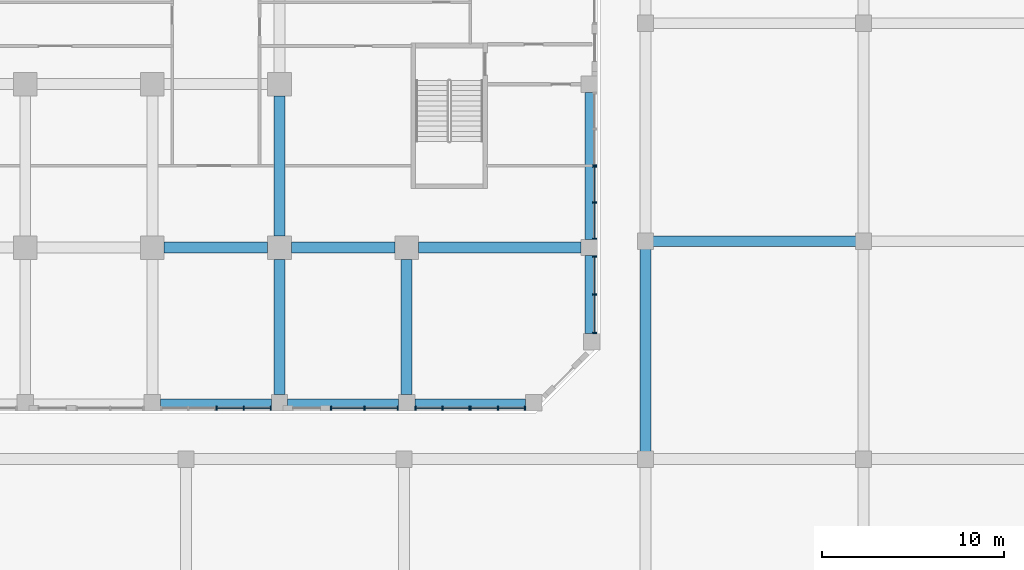
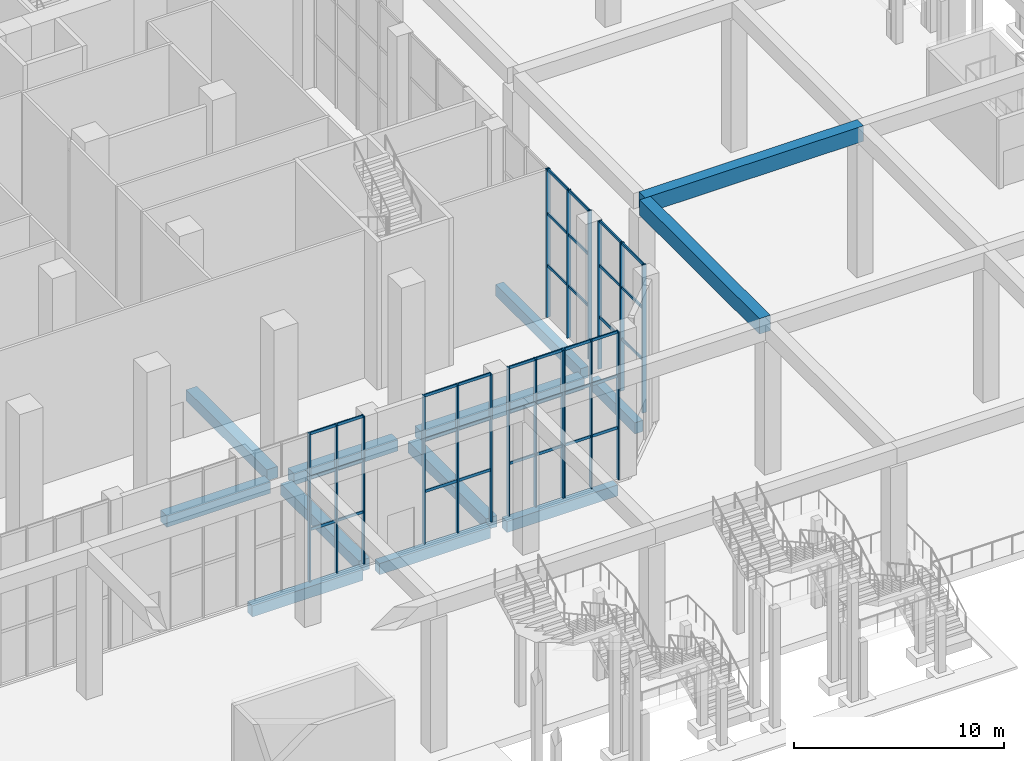
# One storey, part 7 of 43: 55 members, 13 beams, 7 elements without a shape of their own.
"""IFC4 building model written with IfcOpenShell, lengths in metres."""

from ifc_helpers import new_model, si_unit, direction, frame, origin, origin_2d, place, context, subcontext, project, spatial, rectangle, extrude, source, transform, mapped, material, material_profile, profile_set, type_object, element, aggregate, save


model = new_model("IFC4")

# Units and contexts
model_context = context("Model", 3, precision=1e-05, world=origin(), true_north=direction((0.0, 1.0)))
body_context = subcontext(model_context, "Body", "Model", "MODEL_VIEW")
ifc_project = project(units=[si_unit("LENGTHUNIT", "METRE"), si_unit("AREAUNIT", "SQUARE_METRE"), si_unit("VOLUMEUNIT", "CUBIC_METRE"), si_unit("PLANEANGLEUNIT", "RADIAN"), si_unit("MASSUNIT", "GRAM", prefix="KILO")], contexts=[model_context])

# Site, building, storey
site_placement = place(None, origin())
site = spatial("IfcSite", under=ifc_project, at=site_placement, CompositionType="ELEMENT")
building_placement = place(site_placement, origin())
building = spatial("IfcBuilding", under=site, at=building_placement, Name="Kilnfold Tower and Market Hall", CompositionType="ELEMENT")
storey_placement = place(building_placement, origin())
storey = spatial("IfcBuildingStorey", under=building, at=storey_placement, Name="L00", CompositionType="ELEMENT", Elevation=0.0)

# Beams
ifc_material_1 = material(Name="Concrete C45", Category="concrete")
ifc_material_profile_1 = material_profile(ifc_material_1, rectangle(XDim=0.449951171875, YDim=0.64990234375, at=origin_2d()), Name="RC 450x650")
ifc_profile_set_1 = profile_set([ifc_material_profile_1], Name="Concrete C45")
beam_type_1 = type_object("IfcBeamType", Name="EDGE BEAM 450X650 C45", PredefinedType="BEAM", material=ifc_profile_set_1)
shared_shape_1 = source(origin(), body_context, "Body", "SweptSolid", [
    extrude(rectangle(XDim=0.449951171875, YDim=0.64990234375, at=origin_2d()), origin(), (0.0, 0.0, 1.0), 6.10009765625),
])
for number, where, z_axis, x_axis, name in (
    (1, (3.949951171875, -27.550048828125, -0.735107421875), (1.0, 0.0, 0.0), (0.0, 1.0, 0.0), "Beam EB650-B1.4"),
    (2, (10.949951171875, -27.550048828125, -0.735107421875), (1.0, 0.0, 0.0), (0.0, 1.0, 0.0), "Beam EB650-B1.5"),
    (3, (17.949951171875, -27.550048828125, -0.735107421875), (1.0, 0.0, 0.0), (0.0, 1.0, 0.0), "Beam EB650-B1.6"),
):
    element("IfcBeam", number, at=place(storey_placement, frame(where, z_axis=z_axis, x_axis=x_axis)), inside=storey, type_object=beam_type_1, Name=name, PredefinedType="BEAM", context=body_context, shape_type="MappedRepresentation", body=[
        mapped(shared_shape_1, transform((0.0, 0.0, 0.0))),
    ])
ifc_material_2 = material(Name="Concrete C45", Category="concrete")
ifc_material_profile_2 = material_profile(ifc_material_2, rectangle(XDim=0.60009765625, YDim=0.64990234375, at=origin_2d()), Name="RC 600x650")
ifc_profile_set_2 = profile_set([ifc_material_profile_2], Name="Concrete C45")
beam_type_2 = type_object("IfcBeamType", Name="BEAM 600X650 C45", PredefinedType="BEAM", material=ifc_profile_set_2)
shared_shape_2 = source(origin(), body_context, "Body", "SweptSolid", [
    extrude(rectangle(XDim=0.60009765625, YDim=0.64990234375, at=origin_2d()), origin(), (0.0, 0.0, 1.0), 8.9501953125),
])
beam_1_placement = place(storey_placement, frame((18.14990234375, -19.0, -0.735107421875), z_axis=(1.0, 0.0, 0.0), x_axis=(0.0, 1.0, 0.0)))
element("IfcBeam", 4, at=beam_1_placement, inside=storey, type_object=beam_type_2, Name="Beam BB650-B1.12", PredefinedType="BEAM", context=body_context, shape_type="MappedRepresentation", body=[
    mapped(shared_shape_2, transform((0.0, 0.0, 0.0))),
])
shared_shape_3 = source(origin(), body_context, "Body", "SweptSolid", [
    extrude(rectangle(XDim=0.60009765625, YDim=0.64990234375, at=origin_2d()), origin(), (0.0, 0.0, 1.0), 5.7001953125),
])
for number, where, z_axis, x_axis, name in (
    (5, (4.14990234375, -19.0, -0.735107421875), (1.0, 0.0, 0.0), (0.0, 1.0, 0.0), "Beam BB650-B1.10"),
    (6, (11.14990234375, -19.0, -0.735107421875), (1.0, 0.0, 0.0), (0.0, 1.0, 0.0), "Beam BB650-B1.11"),
):
    element("IfcBeam", number, at=place(storey_placement, frame(where, z_axis=z_axis, x_axis=x_axis)), inside=storey, type_object=beam_type_2, Name=name, PredefinedType="BEAM", context=body_context, shape_type="MappedRepresentation", body=[
        mapped(shared_shape_3, transform((0.0, 0.0, 0.0))),
    ])
shared_shape_4 = source(origin(), body_context, "Body", "SweptSolid", [
    extrude(rectangle(XDim=0.449951171875, YDim=0.64990234375, at=origin_2d()), origin(), (0.0, 0.0, 1.0), 8.10009765625),
])
beam_2_placement = place(storey_placement, frame((27.550048828125, -18.550048828125, -0.735107421875), z_axis=(0.0, 1.0, 0.0), x_axis=(-1.0, 0.0, 0.0)))
element("IfcBeam", 7, at=beam_2_placement, inside=storey, type_object=beam_type_1, Name="Beam EB650-B1.52", PredefinedType="BEAM", context=body_context, shape_type="MappedRepresentation", body=[
    mapped(shared_shape_4, transform((0.0, 0.0, 0.0))),
])
shared_shape_5 = source(origin(), body_context, "Body", "SweptSolid", [
    extrude(rectangle(XDim=0.60009765625, YDim=0.64990234375, at=origin_2d()), origin(), (0.0, 0.0, 1.0), 7.4501953125),
])
for number, where, z_axis, x_axis, name in (
    (8, (10.5, -27.10009765625, -0.735107421875), (0.0, 1.0, 0.0), (-1.0, 0.0, 0.0), "Beam BB650-B1.47"),
    (9, (17.5, -27.10009765625, -0.735107421875), (0.0, 1.0, 0.0), (-1.0, 0.0, 0.0), "Beam BB650-B1.50"),
):
    element("IfcBeam", number, at=place(storey_placement, frame(where, z_axis=z_axis, x_axis=x_axis)), inside=storey, type_object=beam_type_2, Name=name, PredefinedType="BEAM", context=body_context, shape_type="MappedRepresentation", body=[
        mapped(shared_shape_5, transform((0.0, 0.0, 0.0))),
    ])
shared_shape_6 = source(origin(), body_context, "Body", "SweptSolid", [
    extrude(rectangle(XDim=0.60009765625, YDim=0.64990234375, at=origin_2d()), origin(), (0.0, 0.0, 1.0), 7.7001953125),
])
beam_3_placement = place(storey_placement, frame((10.5, -18.35009765625, -0.735107421875), z_axis=(0.0, 1.0, 0.0), x_axis=(-1.0, 0.0, 0.0)))
element("IfcBeam", 10, at=beam_3_placement, inside=storey, type_object=beam_type_2, Name="Beam BB650-B1.48", PredefinedType="BEAM", context=body_context, shape_type="MappedRepresentation", body=[
    mapped(shared_shape_6, transform((0.0, 0.0, 0.0))),
])
shared_shape_7 = source(origin(), body_context, "Body", "SweptSolid", [
    extrude(rectangle(XDim=0.449951171875, YDim=0.64990234375, at=origin_2d()), origin(), (0.0, 0.0, 1.0), 4.28173828125),
])
beam_4_placement = place(storey_placement, frame((27.550048828125, -23.731689453125, -0.735107421875), z_axis=(0.0, 1.0, 0.0), x_axis=(-1.0, 0.0, 0.0)))
element("IfcBeam", 11, at=beam_4_placement, inside=storey, type_object=beam_type_1, Name="Beam EB650-B1.51", PredefinedType="BEAM", context=body_context, shape_type="MappedRepresentation", body=[
    mapped(shared_shape_7, transform((0.0, 0.0, 0.0))),
])
ifc_material_3 = material(Name="Concrete C40/50", Category="concrete")
ifc_material_profile_3 = material_profile(ifc_material_3, rectangle(XDim=0.60009765625, YDim=0.89990234375, at=origin_2d()), Name="RC 600x900")
ifc_profile_set_3 = profile_set([ifc_material_profile_3], Name="Concrete C40/50")
beam_type_3 = type_object("IfcBeamType", Name="DECK GIRDER 600X900", PredefinedType="BEAM", material=ifc_profile_set_3)
shared_shape_8 = source(origin(), body_context, "Body", "SweptSolid", [
    extrude(rectangle(XDim=0.60009765625, YDim=0.89990234375, at=origin_2d()), origin(), (0.0, 0.0, 1.0), 12.0),
])
beam_5_placement = place(storey_placement, frame((30.64990234375, -18.64990234375, 8.14990234375), z_axis=(1.0, 0.0, 0.0), x_axis=(0.0, 1.0, 0.0)))
element("IfcBeam", 12, at=beam_5_placement, inside=storey, type_object=beam_type_3, Name="Deck girder DG1-13", PredefinedType="BEAM", context=body_context, shape_type="MappedRepresentation", body=[
    mapped(shared_shape_8, transform((0.0, 0.0, 0.0))),
])
shared_shape_9 = source(origin(), body_context, "Body", "SweptSolid", [
    extrude(rectangle(XDim=0.60009765625, YDim=0.89990234375, at=origin_2d()), origin(), (0.0, 0.0, 1.0), 11.400146484375),
])
beam_6_placement = place(storey_placement, frame((30.64990234375, -30.35009765625, 8.14990234375), z_axis=(0.0, 1.0, 0.0), x_axis=(-1.0, 0.0, 0.0)))
element("IfcBeam", 13, at=beam_6_placement, inside=storey, type_object=beam_type_3, Name="Deck girder DG1-26", PredefinedType="BEAM", context=body_context, shape_type="MappedRepresentation", body=[
    mapped(shared_shape_9, transform((0.0, 0.0, 0.0))),
])

# Curtain wall, members
ifc_material_4 = material(Name="Aluminium and double glazing", Category="aluminium")
curtain_wall_type = type_object("IfcCurtainWallType", Name="CW BASE PODIUM GLAZING", PredefinedType="NOTDEFINED", material=ifc_material_4)
curtain_wall_1_placement = place(storey_placement, origin())
curtain_wall_1 = element("IfcCurtainWall", 14, at=curtain_wall_1_placement, inside=storey, type_object=curtain_wall_type, Name="Curtain wall CW4 L00 S", PredefinedType="NOTDEFINED")
ifc_material_5 = material(Name="Aluminium", Category="aluminium")
ifc_material_profile_4 = material_profile(ifc_material_5, rectangle(XDim=0.070068359375, YDim=0.219970703125, at=origin_2d()), Name="MULLION 70x220")
ifc_profile_set_4 = profile_set([ifc_material_profile_4], Name="Aluminium")
member_type_1 = type_object("IfcMemberType", Name="MULLION 70X220", PredefinedType="MULLION", material=ifc_profile_set_4)
shared_shape_10 = source(origin(), body_context, "Body", "SweptSolid", [
    extrude(rectangle(XDim=0.070068359375, YDim=0.219970703125, at=origin_2d()), origin(), (0.0, 0.0, 1.0), 8.60009765625),
])
member_1_placement = place(storey_placement, frame((7.034912109375, -27.85009765625, 0.0), z_axis=(0.0, 0.0, 1.0), x_axis=(1.0, 0.0, 0.0)))
member_1 = element("IfcMember", 15, at=member_1_placement, type_object=member_type_1, Name="CW4 mullion 1", PredefinedType="MULLION", context=body_context, shape_type="MappedRepresentation", body=[
    mapped(shared_shape_10, transform((0.0, 0.0, 0.0))),
])
member_2_placement = place(storey_placement, frame((8.52490234375, -27.85009765625, 0.0), z_axis=(0.0, 0.0, 1.0), x_axis=(1.0, 0.0, 0.0)))
member_2 = element("IfcMember", 16, at=member_2_placement, type_object=member_type_1, Name="CW4 mullion 2", PredefinedType="MULLION", context=body_context, shape_type="MappedRepresentation", body=[
    mapped(shared_shape_10, transform((0.0, 0.0, 0.0))),
])
member_3_placement = place(storey_placement, frame((10.014892578125, -27.85009765625, 0.0), z_axis=(0.0, 0.0, 1.0), x_axis=(1.0, 0.0, 0.0)))
member_3 = element("IfcMember", 17, at=member_3_placement, type_object=member_type_1, Name="CW4 mullion 3", PredefinedType="MULLION", context=body_context, shape_type="MappedRepresentation", body=[
    mapped(shared_shape_10, transform((0.0, 0.0, 0.0))),
])

curtain_wall_2_placement = place(storey_placement, origin())
curtain_wall_2 = element("IfcCurtainWall", 18, at=curtain_wall_2_placement, inside=storey, type_object=curtain_wall_type, Name="Curtain wall CW4 L00 S", PredefinedType="NOTDEFINED")
member_4_placement = place(storey_placement, frame((13.3349609375, -27.85009765625, 0.0), z_axis=(0.0, 0.0, 1.0), x_axis=(1.0, 0.0, 0.0)))
member_4 = element("IfcMember", 19, at=member_4_placement, type_object=member_type_1, Name="CW4 mullion 1", PredefinedType="MULLION", context=body_context, shape_type="MappedRepresentation", body=[
    mapped(shared_shape_10, transform((0.0, 0.0, 0.0))),
])
member_5_placement = place(storey_placement, frame((15.175048828125, -27.85009765625, 0.0), z_axis=(0.0, 0.0, 1.0), x_axis=(1.0, 0.0, 0.0)))
member_5 = element("IfcMember", 20, at=member_5_placement, type_object=member_type_1, Name="CW4 mullion 2", PredefinedType="MULLION", context=body_context, shape_type="MappedRepresentation", body=[
    mapped(shared_shape_10, transform((0.0, 0.0, 0.0))),
])
member_6_placement = place(storey_placement, frame((17.014892578125, -27.85009765625, 0.0), z_axis=(0.0, 0.0, 1.0), x_axis=(1.0, 0.0, 0.0)))
member_6 = element("IfcMember", 21, at=member_6_placement, type_object=member_type_1, Name="CW4 mullion 3", PredefinedType="MULLION", context=body_context, shape_type="MappedRepresentation", body=[
    mapped(shared_shape_10, transform((0.0, 0.0, 0.0))),
])

curtain_wall_3_placement = place(storey_placement, origin())
curtain_wall_3 = element("IfcCurtainWall", 22, at=curtain_wall_3_placement, inside=storey, type_object=curtain_wall_type, Name="Curtain wall CW4 L00 S", PredefinedType="NOTDEFINED")
member_7_placement = place(storey_placement, frame((17.985107421875, -27.85009765625, 0.0), z_axis=(0.0, 0.0, 1.0), x_axis=(1.0, 0.0, 0.0)))
member_7 = element("IfcMember", 23, at=member_7_placement, type_object=member_type_1, Name="CW4 mullion 1", PredefinedType="MULLION", context=body_context, shape_type="MappedRepresentation", body=[
    mapped(shared_shape_10, transform((0.0, 0.0, 0.0))),
])
member_8_placement = place(storey_placement, frame((19.47509765625, -27.85009765625, 0.0), z_axis=(0.0, 0.0, 1.0), x_axis=(1.0, 0.0, 0.0)))
member_8 = element("IfcMember", 24, at=member_8_placement, type_object=member_type_1, Name="CW4 mullion 2", PredefinedType="MULLION", context=body_context, shape_type="MappedRepresentation", body=[
    mapped(shared_shape_10, transform((0.0, 0.0, 0.0))),
])
member_9_placement = place(storey_placement, frame((20.965087890625, -27.85009765625, 0.0), z_axis=(0.0, 0.0, 1.0), x_axis=(1.0, 0.0, 0.0)))
member_9 = element("IfcMember", 25, at=member_9_placement, type_object=member_type_1, Name="CW4 mullion 3", PredefinedType="MULLION", context=body_context, shape_type="MappedRepresentation", body=[
    mapped(shared_shape_10, transform((0.0, 0.0, 0.0))),
])

curtain_wall_4_placement = place(storey_placement, origin())
curtain_wall_4 = element("IfcCurtainWall", 26, at=curtain_wall_4_placement, inside=storey, type_object=curtain_wall_type, Name="Curtain wall CW4 L00 S", PredefinedType="NOTDEFINED")
member_10_placement = place(storey_placement, frame((21.034912109375, -27.85009765625, 0.0), z_axis=(0.0, 0.0, 1.0), x_axis=(1.0, 0.0, 0.0)))
member_10 = element("IfcMember", 27, at=member_10_placement, type_object=member_type_1, Name="CW4 mullion 1", PredefinedType="MULLION", context=body_context, shape_type="MappedRepresentation", body=[
    mapped(shared_shape_10, transform((0.0, 0.0, 0.0))),
])
member_11_placement = place(storey_placement, frame((22.52490234375, -27.85009765625, 0.0), z_axis=(0.0, 0.0, 1.0), x_axis=(1.0, 0.0, 0.0)))
member_11 = element("IfcMember", 28, at=member_11_placement, type_object=member_type_1, Name="CW4 mullion 2", PredefinedType="MULLION", context=body_context, shape_type="MappedRepresentation", body=[
    mapped(shared_shape_10, transform((0.0, 0.0, 0.0))),
])
member_12_placement = place(storey_placement, frame((24.014892578125, -27.85009765625, 0.0), z_axis=(0.0, 0.0, 1.0), x_axis=(1.0, 0.0, 0.0)))
member_12 = element("IfcMember", 29, at=member_12_placement, type_object=member_type_1, Name="CW4 mullion 3", PredefinedType="MULLION", context=body_context, shape_type="MappedRepresentation", body=[
    mapped(shared_shape_10, transform((0.0, 0.0, 0.0))),
])

curtain_wall_5_placement = place(storey_placement, origin())
curtain_wall_5 = element("IfcCurtainWall", 30, at=curtain_wall_5_placement, inside=storey, type_object=curtain_wall_type, Name="Curtain wall CW4 L00 E", PredefinedType="NOTDEFINED")
member_13_placement = place(storey_placement, frame((27.85009765625, -23.69677734375, 0.0), z_axis=(0.0, 0.0, 1.0), x_axis=(0.0, 1.0, 0.0)))
member_13 = element("IfcMember", 31, at=member_13_placement, type_object=member_type_1, Name="CW4 mullion 1", PredefinedType="MULLION", context=body_context, shape_type="MappedRepresentation", body=[
    mapped(shared_shape_10, transform((0.0, 0.0, 0.0))),
])
member_14_placement = place(storey_placement, frame((27.85009765625, -21.5908203125, 0.0), z_axis=(0.0, 0.0, 1.0), x_axis=(0.0, 1.0, 0.0)))
member_14 = element("IfcMember", 32, at=member_14_placement, type_object=member_type_1, Name="CW4 mullion 2", PredefinedType="MULLION", context=body_context, shape_type="MappedRepresentation", body=[
    mapped(shared_shape_10, transform((0.0, 0.0, 0.0))),
])
member_15_placement = place(storey_placement, frame((27.85009765625, -19.485107421875, 0.0), z_axis=(0.0, 0.0, 1.0), x_axis=(0.0, 1.0, 0.0)))
member_15 = element("IfcMember", 33, at=member_15_placement, type_object=member_type_1, Name="CW4 mullion 3", PredefinedType="MULLION", context=body_context, shape_type="MappedRepresentation", body=[
    mapped(shared_shape_10, transform((0.0, 0.0, 0.0))),
])

curtain_wall_6_placement = place(storey_placement, origin())
curtain_wall_6 = element("IfcCurtainWall", 34, at=curtain_wall_6_placement, inside=storey, type_object=curtain_wall_type, Name="Curtain wall CW4 L00 E", PredefinedType="NOTDEFINED")
member_16_placement = place(storey_placement, frame((27.85009765625, -18.514892578125, 0.0), z_axis=(0.0, 0.0, 1.0), x_axis=(0.0, 1.0, 0.0)))
member_16 = element("IfcMember", 35, at=member_16_placement, type_object=member_type_1, Name="CW4 mullion 1", PredefinedType="MULLION", context=body_context, shape_type="MappedRepresentation", body=[
    mapped(shared_shape_10, transform((0.0, 0.0, 0.0))),
])
member_17_placement = place(storey_placement, frame((27.85009765625, -16.52490234375, 0.0), z_axis=(0.0, 0.0, 1.0), x_axis=(0.0, 1.0, 0.0)))
member_17 = element("IfcMember", 36, at=member_17_placement, type_object=member_type_1, Name="CW4 mullion 2", PredefinedType="MULLION", context=body_context, shape_type="MappedRepresentation", body=[
    mapped(shared_shape_10, transform((0.0, 0.0, 0.0))),
])
member_18_placement = place(storey_placement, frame((27.85009765625, -14.534912109375, 0.0), z_axis=(0.0, 0.0, 1.0), x_axis=(0.0, 1.0, 0.0)))
member_18 = element("IfcMember", 37, at=member_18_placement, type_object=member_type_1, Name="CW4 mullion 3", PredefinedType="MULLION", context=body_context, shape_type="MappedRepresentation", body=[
    mapped(shared_shape_10, transform((0.0, 0.0, 0.0))),
])

# Curtain wall, member
curtain_wall_7_placement = place(storey_placement, origin())
curtain_wall_7 = element("IfcCurtainWall", 38, at=curtain_wall_7_placement, inside=storey, type_object=curtain_wall_type, Name="Curtain wall CW4 L00 E", PredefinedType="NOTDEFINED")
member_19_placement = place(storey_placement, frame((27.85009765625, -14.465087890625, 0.0), z_axis=(0.0, 0.0, 1.0), x_axis=(0.0, 1.0, 0.0)))
member_19 = element("IfcMember", 39, at=member_19_placement, type_object=member_type_1, Name="CW4 mullion 1", PredefinedType="MULLION", context=body_context, shape_type="MappedRepresentation", body=[
    mapped(shared_shape_10, transform((0.0, 0.0, 0.0))),
])
aggregate(curtain_wall_7, [member_19])

# Member
ifc_material_6 = material(Name="Aluminium", Category="aluminium")
ifc_material_profile_5 = material_profile(ifc_material_6, rectangle(XDim=0.070068359375, YDim=0.159912109375, at=origin_2d()), Name="TRANSOM 70x160")
ifc_profile_set_5 = profile_set([ifc_material_profile_5], Name="Aluminium")
member_type_2 = type_object("IfcMemberType", Name="TRANSOM 70X160", PredefinedType="USERDEFINED", material=ifc_profile_set_5)
shared_shape_11 = source(origin(), body_context, "Body", "SweptSolid", [
    extrude(rectangle(XDim=0.070068359375, YDim=0.159912109375, at=origin_2d()), origin(), (0.0, 0.0, 1.0), 1.419921875),
])
member_20_placement = place(storey_placement, frame((7.070068359375, -27.85009765625, 3.0), z_axis=(1.0, 0.0, 0.0), x_axis=(0.0, 1.0, 0.0)))
member_20 = element("IfcMember", 40, at=member_20_placement, type_object=member_type_2, Name="CW4 transom 1.2", ObjectType="TRANSOM", PredefinedType="USERDEFINED", context=body_context, shape_type="MappedRepresentation", body=[
    mapped(shared_shape_11, transform((0.0, 0.0, 0.0))),
])

member_21_placement = place(storey_placement, frame((7.070068359375, -27.85009765625, 6.0), z_axis=(1.0, 0.0, 0.0), x_axis=(0.0, 1.0, 0.0)))
member_21 = element("IfcMember", 41, at=member_21_placement, type_object=member_type_2, Name="CW4 transom 1.3", ObjectType="TRANSOM", PredefinedType="USERDEFINED", context=body_context, shape_type="MappedRepresentation", body=[
    mapped(shared_shape_11, transform((0.0, 0.0, 0.0))),
])

member_22_placement = place(storey_placement, frame((7.070068359375, -27.85009765625, 8.56494140625), z_axis=(1.0, 0.0, 0.0), x_axis=(0.0, 1.0, 0.0)))
member_22 = element("IfcMember", 42, at=member_22_placement, type_object=member_type_2, Name="CW4 transom 1.4", ObjectType="TRANSOM", PredefinedType="USERDEFINED", context=body_context, shape_type="MappedRepresentation", body=[
    mapped(shared_shape_11, transform((0.0, 0.0, 0.0))),
])

member_23_placement = place(storey_placement, frame((8.56005859375, -27.85009765625, 3.0), z_axis=(1.0, 0.0, 0.0), x_axis=(0.0, 1.0, 0.0)))
member_23 = element("IfcMember", 43, at=member_23_placement, type_object=member_type_2, Name="CW4 transom 2.2", ObjectType="TRANSOM", PredefinedType="USERDEFINED", context=body_context, shape_type="MappedRepresentation", body=[
    mapped(shared_shape_11, transform((0.0, 0.0, 0.0))),
])

member_24_placement = place(storey_placement, frame((8.56005859375, -27.85009765625, 6.0), z_axis=(1.0, 0.0, 0.0), x_axis=(0.0, 1.0, 0.0)))
member_24 = element("IfcMember", 44, at=member_24_placement, type_object=member_type_2, Name="CW4 transom 2.3", ObjectType="TRANSOM", PredefinedType="USERDEFINED", context=body_context, shape_type="MappedRepresentation", body=[
    mapped(shared_shape_11, transform((0.0, 0.0, 0.0))),
])

member_25_placement = place(storey_placement, frame((8.56005859375, -27.85009765625, 8.56494140625), z_axis=(1.0, 0.0, 0.0), x_axis=(0.0, 1.0, 0.0)))
member_25 = element("IfcMember", 45, at=member_25_placement, type_object=member_type_2, Name="CW4 transom 2.4", ObjectType="TRANSOM", PredefinedType="USERDEFINED", context=body_context, shape_type="MappedRepresentation", body=[
    mapped(shared_shape_11, transform((0.0, 0.0, 0.0))),
])

aggregate(curtain_wall_1, [member_1, member_2, member_3, member_20, member_21, member_22, member_23, member_24, member_25])

member_26_placement = place(storey_placement, frame((18.02001953125, -27.85009765625, 3.0), z_axis=(1.0, 0.0, 0.0), x_axis=(0.0, 1.0, 0.0)))
member_26 = element("IfcMember", 46, at=member_26_placement, type_object=member_type_2, Name="CW4 transom 1.2", ObjectType="TRANSOM", PredefinedType="USERDEFINED", context=body_context, shape_type="MappedRepresentation", body=[
    mapped(shared_shape_11, transform((0.0, 0.0, 0.0))),
])

member_27_placement = place(storey_placement, frame((18.02001953125, -27.85009765625, 6.0), z_axis=(1.0, 0.0, 0.0), x_axis=(0.0, 1.0, 0.0)))
member_27 = element("IfcMember", 47, at=member_27_placement, type_object=member_type_2, Name="CW4 transom 1.3", ObjectType="TRANSOM", PredefinedType="USERDEFINED", context=body_context, shape_type="MappedRepresentation", body=[
    mapped(shared_shape_11, transform((0.0, 0.0, 0.0))),
])

member_28_placement = place(storey_placement, frame((18.02001953125, -27.85009765625, 8.56494140625), z_axis=(1.0, 0.0, 0.0), x_axis=(0.0, 1.0, 0.0)))
member_28 = element("IfcMember", 48, at=member_28_placement, type_object=member_type_2, Name="CW4 transom 1.4", ObjectType="TRANSOM", PredefinedType="USERDEFINED", context=body_context, shape_type="MappedRepresentation", body=[
    mapped(shared_shape_11, transform((0.0, 0.0, 0.0))),
])

member_29_placement = place(storey_placement, frame((19.510009765625, -27.85009765625, 3.0), z_axis=(1.0, 0.0, 0.0), x_axis=(0.0, 1.0, 0.0)))
member_29 = element("IfcMember", 49, at=member_29_placement, type_object=member_type_2, Name="CW4 transom 2.2", ObjectType="TRANSOM", PredefinedType="USERDEFINED", context=body_context, shape_type="MappedRepresentation", body=[
    mapped(shared_shape_11, transform((0.0, 0.0, 0.0))),
])

member_30_placement = place(storey_placement, frame((19.510009765625, -27.85009765625, 6.0), z_axis=(1.0, 0.0, 0.0), x_axis=(0.0, 1.0, 0.0)))
member_30 = element("IfcMember", 50, at=member_30_placement, type_object=member_type_2, Name="CW4 transom 2.3", ObjectType="TRANSOM", PredefinedType="USERDEFINED", context=body_context, shape_type="MappedRepresentation", body=[
    mapped(shared_shape_11, transform((0.0, 0.0, 0.0))),
])

member_31_placement = place(storey_placement, frame((19.510009765625, -27.85009765625, 8.56494140625), z_axis=(1.0, 0.0, 0.0), x_axis=(0.0, 1.0, 0.0)))
member_31 = element("IfcMember", 51, at=member_31_placement, type_object=member_type_2, Name="CW4 transom 2.4", ObjectType="TRANSOM", PredefinedType="USERDEFINED", context=body_context, shape_type="MappedRepresentation", body=[
    mapped(shared_shape_11, transform((0.0, 0.0, 0.0))),
])

aggregate(curtain_wall_3, [member_7, member_8, member_9, member_26, member_27, member_28, member_29, member_30, member_31])

member_32_placement = place(storey_placement, frame((21.070068359375, -27.85009765625, 3.0), z_axis=(1.0, 0.0, 0.0), x_axis=(0.0, 1.0, 0.0)))
member_32 = element("IfcMember", 52, at=member_32_placement, type_object=member_type_2, Name="CW4 transom 1.2", ObjectType="TRANSOM", PredefinedType="USERDEFINED", context=body_context, shape_type="MappedRepresentation", body=[
    mapped(shared_shape_11, transform((0.0, 0.0, 0.0))),
])

member_33_placement = place(storey_placement, frame((21.070068359375, -27.85009765625, 6.0), z_axis=(1.0, 0.0, 0.0), x_axis=(0.0, 1.0, 0.0)))
member_33 = element("IfcMember", 53, at=member_33_placement, type_object=member_type_2, Name="CW4 transom 1.3", ObjectType="TRANSOM", PredefinedType="USERDEFINED", context=body_context, shape_type="MappedRepresentation", body=[
    mapped(shared_shape_11, transform((0.0, 0.0, 0.0))),
])

member_34_placement = place(storey_placement, frame((21.070068359375, -27.85009765625, 8.56494140625), z_axis=(1.0, 0.0, 0.0), x_axis=(0.0, 1.0, 0.0)))
member_34 = element("IfcMember", 54, at=member_34_placement, type_object=member_type_2, Name="CW4 transom 1.4", ObjectType="TRANSOM", PredefinedType="USERDEFINED", context=body_context, shape_type="MappedRepresentation", body=[
    mapped(shared_shape_11, transform((0.0, 0.0, 0.0))),
])

member_35_placement = place(storey_placement, frame((22.56005859375, -27.85009765625, 3.0), z_axis=(1.0, 0.0, 0.0), x_axis=(0.0, 1.0, 0.0)))
member_35 = element("IfcMember", 55, at=member_35_placement, type_object=member_type_2, Name="CW4 transom 2.2", ObjectType="TRANSOM", PredefinedType="USERDEFINED", context=body_context, shape_type="MappedRepresentation", body=[
    mapped(shared_shape_11, transform((0.0, 0.0, 0.0))),
])

member_36_placement = place(storey_placement, frame((22.56005859375, -27.85009765625, 6.0), z_axis=(1.0, 0.0, 0.0), x_axis=(0.0, 1.0, 0.0)))
member_36 = element("IfcMember", 56, at=member_36_placement, type_object=member_type_2, Name="CW4 transom 2.3", ObjectType="TRANSOM", PredefinedType="USERDEFINED", context=body_context, shape_type="MappedRepresentation", body=[
    mapped(shared_shape_11, transform((0.0, 0.0, 0.0))),
])

member_37_placement = place(storey_placement, frame((22.56005859375, -27.85009765625, 8.56494140625), z_axis=(1.0, 0.0, 0.0), x_axis=(0.0, 1.0, 0.0)))
member_37 = element("IfcMember", 57, at=member_37_placement, type_object=member_type_2, Name="CW4 transom 2.4", ObjectType="TRANSOM", PredefinedType="USERDEFINED", context=body_context, shape_type="MappedRepresentation", body=[
    mapped(shared_shape_11, transform((0.0, 0.0, 0.0))),
])

aggregate(curtain_wall_4, [member_10, member_11, member_12, member_32, member_33, member_34, member_35, member_36, member_37])

shared_shape_12 = source(origin(), body_context, "Body", "SweptSolid", [
    extrude(rectangle(XDim=0.070068359375, YDim=0.159912109375, at=origin_2d()), origin(), (0.0, 0.0, 1.0), 1.769775390625),
])
member_38_placement = place(storey_placement, frame((13.3701171875, -27.85009765625, 3.0), z_axis=(1.0, 0.0, 0.0), x_axis=(0.0, 1.0, 0.0)))
member_38 = element("IfcMember", 58, at=member_38_placement, type_object=member_type_2, Name="CW4 transom 1.2", ObjectType="TRANSOM", PredefinedType="USERDEFINED", context=body_context, shape_type="MappedRepresentation", body=[
    mapped(shared_shape_12, transform((0.0, 0.0, 0.0))),
])

member_39_placement = place(storey_placement, frame((13.3701171875, -27.85009765625, 6.0), z_axis=(1.0, 0.0, 0.0), x_axis=(0.0, 1.0, 0.0)))
member_39 = element("IfcMember", 59, at=member_39_placement, type_object=member_type_2, Name="CW4 transom 1.3", ObjectType="TRANSOM", PredefinedType="USERDEFINED", context=body_context, shape_type="MappedRepresentation", body=[
    mapped(shared_shape_12, transform((0.0, 0.0, 0.0))),
])

member_40_placement = place(storey_placement, frame((13.3701171875, -27.85009765625, 8.56494140625), z_axis=(1.0, 0.0, 0.0), x_axis=(0.0, 1.0, 0.0)))
member_40 = element("IfcMember", 60, at=member_40_placement, type_object=member_type_2, Name="CW4 transom 1.4", ObjectType="TRANSOM", PredefinedType="USERDEFINED", context=body_context, shape_type="MappedRepresentation", body=[
    mapped(shared_shape_12, transform((0.0, 0.0, 0.0))),
])

shared_shape_13 = source(origin(), body_context, "Body", "SweptSolid", [
    extrude(rectangle(XDim=0.070068359375, YDim=0.159912109375, at=origin_2d()), origin(), (0.0, 0.0, 1.0), 1.77001953125),
])
member_41_placement = place(storey_placement, frame((15.2099609375, -27.85009765625, 3.0), z_axis=(1.0, 0.0, 0.0), x_axis=(0.0, 1.0, 0.0)))
member_41 = element("IfcMember", 61, at=member_41_placement, type_object=member_type_2, Name="CW4 transom 2.2", ObjectType="TRANSOM", PredefinedType="USERDEFINED", context=body_context, shape_type="MappedRepresentation", body=[
    mapped(shared_shape_13, transform((0.0, 0.0, 0.0))),
])

member_42_placement = place(storey_placement, frame((15.2099609375, -27.85009765625, 6.0), z_axis=(1.0, 0.0, 0.0), x_axis=(0.0, 1.0, 0.0)))
member_42 = element("IfcMember", 62, at=member_42_placement, type_object=member_type_2, Name="CW4 transom 2.3", ObjectType="TRANSOM", PredefinedType="USERDEFINED", context=body_context, shape_type="MappedRepresentation", body=[
    mapped(shared_shape_13, transform((0.0, 0.0, 0.0))),
])

member_43_placement = place(storey_placement, frame((15.2099609375, -27.85009765625, 8.56494140625), z_axis=(1.0, 0.0, 0.0), x_axis=(0.0, 1.0, 0.0)))
member_43 = element("IfcMember", 63, at=member_43_placement, type_object=member_type_2, Name="CW4 transom 2.4", ObjectType="TRANSOM", PredefinedType="USERDEFINED", context=body_context, shape_type="MappedRepresentation", body=[
    mapped(shared_shape_13, transform((0.0, 0.0, 0.0))),
])

aggregate(curtain_wall_2, [member_4, member_5, member_6, member_38, member_39, member_40, member_41, member_42, member_43])

shared_shape_14 = source(origin(), body_context, "Body", "SweptSolid", [
    extrude(rectangle(XDim=0.070068359375, YDim=0.159912109375, at=origin_2d()), origin(), (0.0, 0.0, 1.0), 2.035888671875),
])
member_44_placement = place(storey_placement, frame((27.85009765625, -23.661865234375, 3.0), z_axis=(0.0, 1.0, 0.0), x_axis=(-1.0, 0.0, 0.0)))
member_44 = element("IfcMember", 64, at=member_44_placement, type_object=member_type_2, Name="CW4 transom 1.2", ObjectType="TRANSOM", PredefinedType="USERDEFINED", context=body_context, shape_type="MappedRepresentation", body=[
    mapped(shared_shape_14, transform((0.0, 0.0, 0.0))),
])

member_45_placement = place(storey_placement, frame((27.85009765625, -23.661865234375, 6.0), z_axis=(0.0, 1.0, 0.0), x_axis=(-1.0, 0.0, 0.0)))
member_45 = element("IfcMember", 65, at=member_45_placement, type_object=member_type_2, Name="CW4 transom 1.3", ObjectType="TRANSOM", PredefinedType="USERDEFINED", context=body_context, shape_type="MappedRepresentation", body=[
    mapped(shared_shape_14, transform((0.0, 0.0, 0.0))),
])

member_46_placement = place(storey_placement, frame((27.85009765625, -23.661865234375, 8.56494140625), z_axis=(0.0, 1.0, 0.0), x_axis=(-1.0, 0.0, 0.0)))
member_46 = element("IfcMember", 66, at=member_46_placement, type_object=member_type_2, Name="CW4 transom 1.4", ObjectType="TRANSOM", PredefinedType="USERDEFINED", context=body_context, shape_type="MappedRepresentation", body=[
    mapped(shared_shape_14, transform((0.0, 0.0, 0.0))),
])

member_47_placement = place(storey_placement, frame((27.85009765625, -21.555908203125, 3.0), z_axis=(0.0, 1.0, 0.0), x_axis=(-1.0, 0.0, 0.0)))
member_47 = element("IfcMember", 67, at=member_47_placement, type_object=member_type_2, Name="CW4 transom 2.2", ObjectType="TRANSOM", PredefinedType="USERDEFINED", context=body_context, shape_type="MappedRepresentation", body=[
    mapped(shared_shape_14, transform((0.0, 0.0, 0.0))),
])

member_48_placement = place(storey_placement, frame((27.85009765625, -21.555908203125, 6.0), z_axis=(0.0, 1.0, 0.0), x_axis=(-1.0, 0.0, 0.0)))
member_48 = element("IfcMember", 68, at=member_48_placement, type_object=member_type_2, Name="CW4 transom 2.3", ObjectType="TRANSOM", PredefinedType="USERDEFINED", context=body_context, shape_type="MappedRepresentation", body=[
    mapped(shared_shape_14, transform((0.0, 0.0, 0.0))),
])

member_49_placement = place(storey_placement, frame((27.85009765625, -21.555908203125, 8.56494140625), z_axis=(0.0, 1.0, 0.0), x_axis=(-1.0, 0.0, 0.0)))
member_49 = element("IfcMember", 69, at=member_49_placement, type_object=member_type_2, Name="CW4 transom 2.4", ObjectType="TRANSOM", PredefinedType="USERDEFINED", context=body_context, shape_type="MappedRepresentation", body=[
    mapped(shared_shape_14, transform((0.0, 0.0, 0.0))),
])

aggregate(curtain_wall_5, [member_13, member_14, member_15, member_44, member_45, member_46, member_47, member_48, member_49])

shared_shape_15 = source(origin(), body_context, "Body", "SweptSolid", [
    extrude(rectangle(XDim=0.070068359375, YDim=0.159912109375, at=origin_2d()), origin(), (0.0, 0.0, 1.0), 1.919921875),
])
member_50_placement = place(storey_placement, frame((27.85009765625, -18.47998046875, 3.0), z_axis=(0.0, 1.0, 0.0), x_axis=(-1.0, 0.0, 0.0)))
member_50 = element("IfcMember", 70, at=member_50_placement, type_object=member_type_2, Name="CW4 transom 1.2", ObjectType="TRANSOM", PredefinedType="USERDEFINED", context=body_context, shape_type="MappedRepresentation", body=[
    mapped(shared_shape_15, transform((0.0, 0.0, 0.0))),
])

member_51_placement = place(storey_placement, frame((27.85009765625, -18.47998046875, 6.0), z_axis=(0.0, 1.0, 0.0), x_axis=(-1.0, 0.0, 0.0)))
member_51 = element("IfcMember", 71, at=member_51_placement, type_object=member_type_2, Name="CW4 transom 1.3", ObjectType="TRANSOM", PredefinedType="USERDEFINED", context=body_context, shape_type="MappedRepresentation", body=[
    mapped(shared_shape_15, transform((0.0, 0.0, 0.0))),
])

member_52_placement = place(storey_placement, frame((27.85009765625, -18.47998046875, 8.56494140625), z_axis=(0.0, 1.0, 0.0), x_axis=(-1.0, 0.0, 0.0)))
member_52 = element("IfcMember", 72, at=member_52_placement, type_object=member_type_2, Name="CW4 transom 1.4", ObjectType="TRANSOM", PredefinedType="USERDEFINED", context=body_context, shape_type="MappedRepresentation", body=[
    mapped(shared_shape_15, transform((0.0, 0.0, 0.0))),
])

member_53_placement = place(storey_placement, frame((27.85009765625, -16.489990234375, 3.0), z_axis=(0.0, 1.0, 0.0), x_axis=(-1.0, 0.0, 0.0)))
member_53 = element("IfcMember", 73, at=member_53_placement, type_object=member_type_2, Name="CW4 transom 2.2", ObjectType="TRANSOM", PredefinedType="USERDEFINED", context=body_context, shape_type="MappedRepresentation", body=[
    mapped(shared_shape_15, transform((0.0, 0.0, 0.0))),
])

member_54_placement = place(storey_placement, frame((27.85009765625, -16.489990234375, 6.0), z_axis=(0.0, 1.0, 0.0), x_axis=(-1.0, 0.0, 0.0)))
member_54 = element("IfcMember", 74, at=member_54_placement, type_object=member_type_2, Name="CW4 transom 2.3", ObjectType="TRANSOM", PredefinedType="USERDEFINED", context=body_context, shape_type="MappedRepresentation", body=[
    mapped(shared_shape_15, transform((0.0, 0.0, 0.0))),
])

member_55_placement = place(storey_placement, frame((27.85009765625, -16.489990234375, 8.56494140625), z_axis=(0.0, 1.0, 0.0), x_axis=(-1.0, 0.0, 0.0)))
member_55 = element("IfcMember", 75, at=member_55_placement, type_object=member_type_2, Name="CW4 transom 2.4", ObjectType="TRANSOM", PredefinedType="USERDEFINED", context=body_context, shape_type="MappedRepresentation", body=[
    mapped(shared_shape_15, transform((0.0, 0.0, 0.0))),
])

aggregate(curtain_wall_6, [member_16, member_17, member_18, member_50, member_51, member_52, member_53, member_54, member_55])

save(model, "model.ifc")
